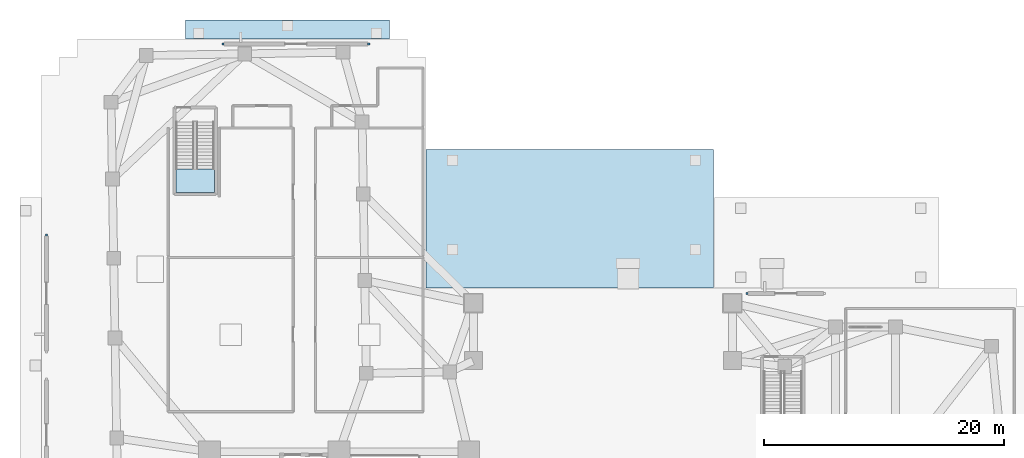
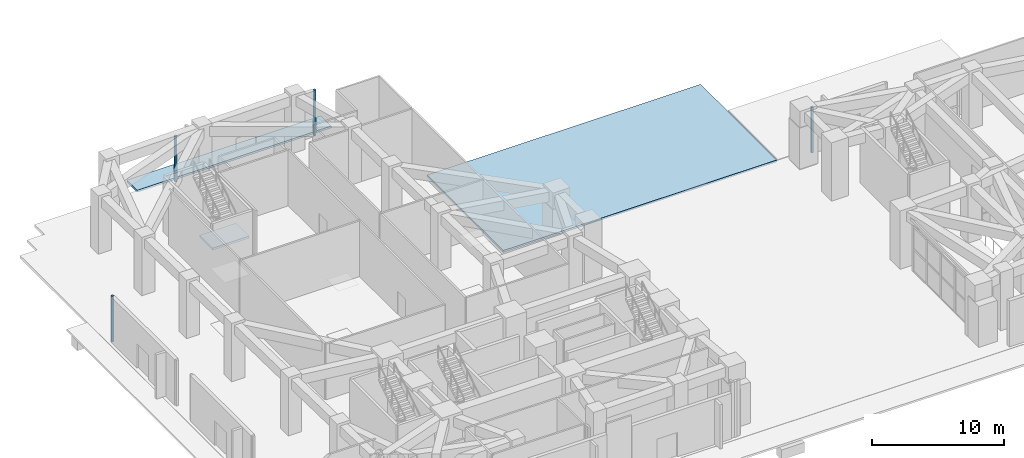
# One storey, part 8 of 19: 4 plates, 3 slabs, 1 element without a shape of its own.
"""IFC4 building model written with IfcOpenShell, lengths in metres."""

from ifc_helpers import new_model, si_unit, direction, frame, origin, origin_2d, place, context, subcontext, project, spatial, polyline, rectangle, outline, extrude, material, layer, layer_set, type_object, element, aggregate, save


model = new_model("IFC4")

# Units and contexts
model_context = context("Model", 3, precision=1e-05, world=origin(), true_north=direction((0.0, 1.0)))
body_context = subcontext(model_context, "Body", "Model", "MODEL_VIEW")
ifc_project = project(units=[si_unit("LENGTHUNIT", "METRE"), si_unit("AREAUNIT", "SQUARE_METRE"), si_unit("VOLUMEUNIT", "CUBIC_METRE"), si_unit("PLANEANGLEUNIT", "RADIAN"), si_unit("MASSUNIT", "GRAM", prefix="KILO")], contexts=[model_context])

# Site, building, storey
site_placement = place(None, origin())
site = spatial("IfcSite", under=ifc_project, at=site_placement, CompositionType="ELEMENT")
building_placement = place(site_placement, origin())
building = spatial("IfcBuilding", under=site, at=building_placement, Name="Gaonmaruhae Medical Tower", CompositionType="ELEMENT")
storey_placement = place(building_placement, origin())
storey = spatial("IfcBuildingStorey", under=building, at=storey_placement, Name="L00", CompositionType="ELEMENT", Elevation=0.0)

# Plates
ifc_material_1 = material(Name="Anodised aluminium 6063-T6", Category="aluminium")
ifc_layer_1 = layer(ifc_material_1, 0.011962890625)
ifc_layer_set_1 = layer_set([ifc_layer_1], Name="Anodised aluminium 6063-T6")
plate_type = type_object("IfcPlateType", Name="PP-01 Interior Partition Corner Stiffener Plate", PredefinedType="SHEET", material=ifc_layer_set_1)
for number, where, z_axis, x_axis, name in (
    (1, (58.820068359375, 30.0, 0.0), (0.0, 0.0, 1.0), (1.0, 0.0, 0.0), "L00 Partition End Jamb Post Plate PLT-L00-ENDP-N1-0"),
    (2, (15.1201171875, 50.800048828125, 0.0), (0.0, 0.0, 1.0), (1.0, 0.0, 0.0), "L00 Partition End Jamb Post Plate PLT-L00-ENDP-N2-0"),
    (3, (27.280029296875, 50.800048828125, 0.0), (0.0, 0.0, 1.0), (1.0, 0.0, 0.0), "L00 Partition End Jamb Post Plate PLT-L00-ENDP-N2-1"),
    (4, (0.39990234375, 34.8798828125, 0.0), (0.0, 0.0, 1.0), (0.0, 1.0, 0.0), "L00 Partition End Jamb Post Plate PLT-L00-ENDP-W2-1"),
):
    element("IfcPlate", number, at=place(storey_placement, frame(where, z_axis=z_axis, x_axis=x_axis)), inside=storey, type_object=plate_type, Name=name, PredefinedType="SHEET", context=body_context, shape_type="SweptSolid", body=[
        extrude(rectangle(XDim=0.179931640625, YDim=0.179931640625, at=origin_2d()), origin(), (0.0, 0.0, 1.0), 4.22998046875),
    ])

# Slabs
ifc_material_2 = material(Name="Honed Busan granite paving", Category="masonry")
ifc_layer_2 = layer(ifc_material_2, 0.179931640625)
ifc_layer_set_2 = layer_set([ifc_layer_2], Name="Honed Busan granite paving")
slab_type_1 = type_object("IfcSlabType", Name="PV-180 Exterior Granite Plaza Paving Slab", PredefinedType="USERDEFINED", material=ifc_layer_set_2)
slab_1_placement = place(storey_placement, frame((0.0, 0.0, -0.179931640625)))
element("IfcSlab", 5, at=slab_1_placement, inside=storey, type_object=slab_type_1, Name="L00 Concourse North Granite Plaza Paving", ObjectType="PAVING", PredefinedType="USERDEFINED", context=body_context, shape_type="SweptSolid", body=[
    extrude(outline(polyline([(32.050048828125, 42.0), (56.0, 42.0), (56.0, 30.449951171875), (32.050048828125, 30.449951171875), (32.050048828125, 42.0)])), origin(), (0.0, 0.0, 1.0), 0.179931640625),
])
slab_2_placement = place(storey_placement, frame((0.0, 0.0, -0.179931640625)))
element("IfcSlab", 6, at=slab_2_placement, inside=storey, type_object=slab_type_1, Name="L00 North Exit Promenade Paving", ObjectType="PAVING", PredefinedType="USERDEFINED", context=body_context, shape_type="SweptSolid", body=[
    extrude(outline(polyline([(12.0, 52.800048828125), (29.0, 52.800048828125), (29.0, 51.219970703125), (12.0, 51.219970703125), (12.0, 52.800048828125)])), origin(), (0.0, 0.0, 1.0), 0.179931640625),
])

# Stair, slab
ifc_material_3 = material(Name="Concrete C40/50", Category="concrete")
stair_type = type_object("IfcStairType", Name="ST-T3 Podium Escape Dogleg Stair", PredefinedType="TWO_QUARTER_TURN_STAIR", material=ifc_material_3)
stair_placement = place(storey_placement, origin())
stair = element("IfcStair", 7, at=stair_placement, inside=storey, type_object=stair_type, Name="L00 Protected Escape Stair ST-05", PredefinedType="TWO_QUARTER_TURN_STAIR")
ifc_layer_3 = layer(ifc_material_3, 0.199951171875)
ifc_layer_set_3 = layer_set([ifc_layer_3], Name="Concrete C40/50")
slab_type_2 = type_object("IfcSlabType", Name="SL-200 Stair & Ramp Intermediate Concrete Landing", PredefinedType="LANDING", material=ifc_layer_set_3)
slab_3_placement = place(storey_placement, frame((0.0, 0.0, 2.5)))
slab_3 = element("IfcSlab", 8, at=slab_3_placement, type_object=slab_type_2, Name="ST-05 landing 1", PredefinedType="LANDING", context=body_context, shape_type="SweptSolid", body=[
    extrude(outline(polyline([(11.199951171875, 40.3798828125), (11.199951171875, 38.39990234375), (14.39990234375, 38.39990234375), (14.39990234375, 40.3798828125), (11.199951171875, 40.3798828125)])), origin(), (0.0, 0.0, 1.0), 0.199951171875),
])
aggregate(stair, [slab_3])

save(model, "model.ifc")
